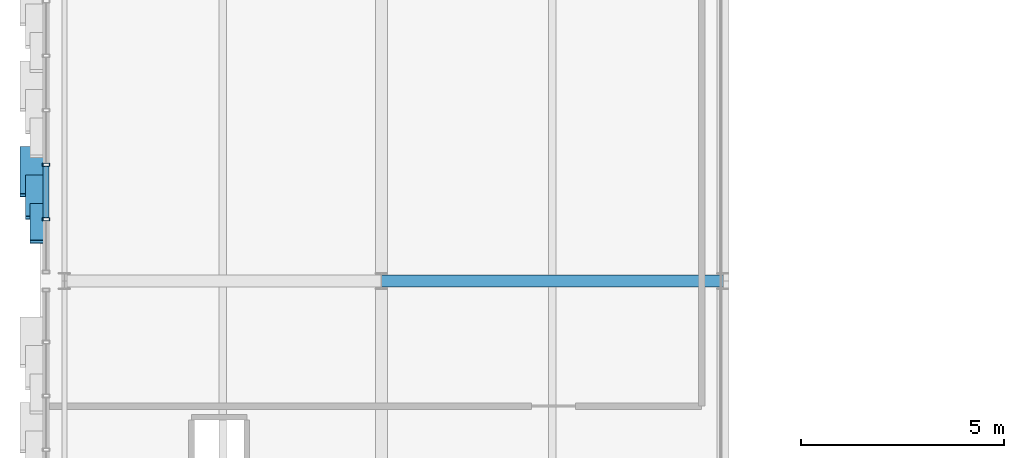
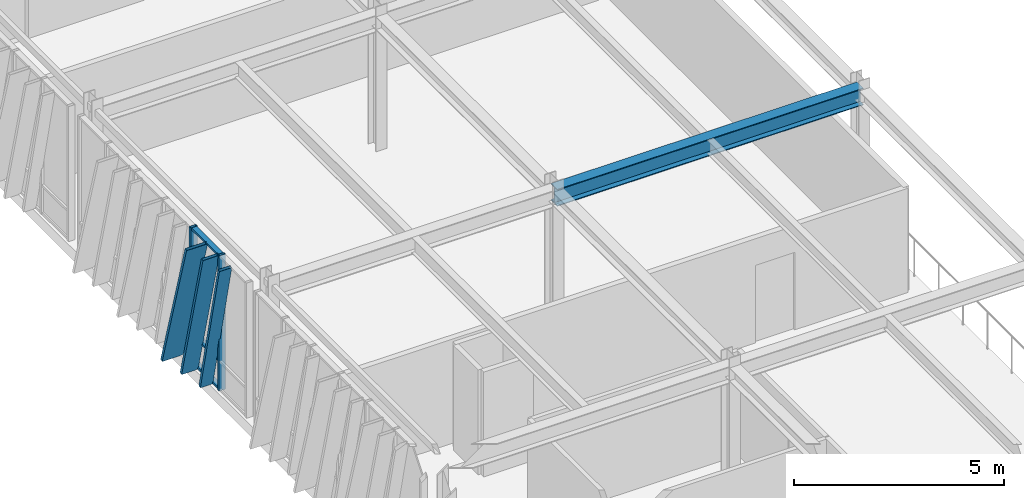
# One storey, part 39 of 127: 8 members, 1 beam, 1 element without a shape of its own.
"""IFC4 building model written with IfcOpenShell, lengths in metres."""

from ifc_helpers import new_model, si_unit, direction, frame, origin, origin_2d, place, context, subcontext, project, spatial, hollow_rectangle, i_section, extrude, material, layer, layer_set, material_profile, profile_set, type_object, element, aggregate, save


model = new_model("IFC4")

# Units and contexts
model_context = context("Model", 3, precision=1e-05, world=origin(), true_north=direction((0.0, 1.0)))
body_context = subcontext(model_context, "Body", "Model", "MODEL_VIEW")
ifc_project = project(units=[si_unit("LENGTHUNIT", "METRE"), si_unit("AREAUNIT", "SQUARE_METRE"), si_unit("VOLUMEUNIT", "CUBIC_METRE"), si_unit("PLANEANGLEUNIT", "RADIAN"), si_unit("MASSUNIT", "GRAM", prefix="KILO")], contexts=[model_context])

# Site, building, storey
site_placement = place(None, origin())
site = spatial("IfcSite", under=ifc_project, at=site_placement, CompositionType="ELEMENT")
building_placement = place(site_placement, origin())
building = spatial("IfcBuilding", under=site, at=building_placement, Name="Zayran Congress Hotel", CompositionType="ELEMENT")
storey_placement = place(building_placement, frame((0.0, 0.0, 10.800048828125)))
storey = spatial("IfcBuildingStorey", under=building, at=storey_placement, Name="L02", CompositionType="ELEMENT", Elevation=10.800048828125)

# Beam
ifc_material_1 = material(Name="Steel S355", Category="steel")
ifc_material_profile_1 = material_profile(ifc_material_1, i_section(OverallWidth=0.300048828125, OverallDepth=0.489990234375, WebThickness=0.011962890625, FlangeThickness=0.02294921875, at=origin_2d()), Name="HEA 500")
ifc_profile_set_1 = profile_set([ifc_material_profile_1], Name="Steel S355")
beam_type = type_object("IfcBeamType", Name="TP-BM-05", PredefinedType="BEAM", material=ifc_profile_set_1)
beam_placement = place(storey_placement, frame((16.800048828125, 92.800048828125, 3.675048828125), z_axis=(1.0, 0.0, 0.0), x_axis=(0.0, 1.0, 0.0)))
element("IfcBeam", 1, at=beam_placement, inside=storey, type_object=beam_type, Name="BM-V1-L02-0683", PredefinedType="BEAM", context=body_context, shape_type="SweptSolid", body=[
    extrude(i_section(OverallWidth=0.300048828125, OverallDepth=0.489990234375, WebThickness=0.011962890625, FlangeThickness=0.02294921875, at=origin_2d()), origin(), (0.0, 0.0, 1.0), 8.39990234375),
])

# Curtain wall, members
ifc_material_2 = material(Name="Anodised aluminium and low-E insulated glass", Category="aluminium")
ifc_layer = layer(ifc_material_2, 0.179931640625)
ifc_layer_set = layer_set([ifc_layer], Name="Anodised aluminium and low-E insulated glass")
curtain_wall_type = type_object("IfcCurtainWallType", Name="CW-V1W-L02-CW-32-8040-3920", PredefinedType="USERDEFINED", material=ifc_layer_set)
curtain_wall_placement = place(storey_placement, origin())
curtain_wall = element("IfcCurtainWall", 2, at=curtain_wall_placement, inside=storey, type_object=curtain_wall_type, Name="CW-V1W-L02-3", ObjectType="CURTAIN WALL", PredefinedType="USERDEFINED")
ifc_material_3 = material(Name="Anodised aluminium framing", Category="aluminium")
ifc_material_profile_2 = material_profile(ifc_material_3, hollow_rectangle(XDim=0.080078125, YDim=0.179931640625, WallThickness=0.0048828125, at=origin_2d()), Name="RHS 180x80x5")
ifc_profile_set_2 = profile_set([ifc_material_profile_2], Name="Anodised aluminium framing")
member_type_1 = type_object("IfcMemberType", Name="TP-CWM-01", PredefinedType="MULLION", material=ifc_profile_set_2)
member_1_placement = place(storey_placement, frame((8.550048828125, 95.659912109375, 0.0), z_axis=(0.0, 0.0, 1.0), x_axis=(0.0, 1.0, 0.0)))
member_1 = element("IfcMember", 3, at=member_1_placement, type_object=member_type_1, Name="CW-V1W-L02-3-M04", PredefinedType="MULLION", context=body_context, shape_type="SweptSolid", body=[
    extrude(hollow_rectangle(XDim=0.080078125, YDim=0.179931640625, WallThickness=0.0048828125, at=origin_2d()), origin(), (0.0, 0.0, 1.0), 3.919921875),
])
member_2_placement = place(storey_placement, frame((8.550048828125, 94.320068359375, 0.0), z_axis=(0.0, 0.0, 1.0), x_axis=(0.0, 1.0, 0.0)))
member_2 = element("IfcMember", 4, at=member_2_placement, type_object=member_type_1, Name="CW-V1W-L02-3-M05", PredefinedType="MULLION", context=body_context, shape_type="SweptSolid", body=[
    extrude(hollow_rectangle(XDim=0.080078125, YDim=0.179931640625, WallThickness=0.0048828125, at=origin_2d()), origin(), (0.0, 0.0, 1.0), 3.919921875),
])
ifc_material_profile_3 = material_profile(ifc_material_3, hollow_rectangle(XDim=0.06005859375, YDim=0.14990234375, WallThickness=0.00390625, at=origin_2d()), Name="RHS 150x60x4")
ifc_profile_set_3 = profile_set([ifc_material_profile_3], Name="Anodised aluminium framing")
member_type_2 = type_object("IfcMemberType", Name="TP-CWT-01", PredefinedType="USERDEFINED", material=ifc_profile_set_3)
member_3_placement = place(storey_placement, frame((8.550048828125, 95.6201171875, 0.030029296875), z_axis=(0.0, -1.0, 0.0), x_axis=(0.0, 0.0, 1.0)))
member_3 = element("IfcMember", 5, at=member_3_placement, type_object=member_type_2, Name="CW-V1W-L02-3-T04-0", ObjectType="TRANSOM", PredefinedType="USERDEFINED", context=body_context, shape_type="SweptSolid", body=[
    extrude(hollow_rectangle(XDim=0.06005859375, YDim=0.14990234375, WallThickness=0.00390625, at=origin_2d()), origin(), (0.0, 0.0, 1.0), 1.260009765625),
])
member_4_placement = place(storey_placement, frame((8.550048828125, 95.6201171875, 0.83984375), z_axis=(0.0, -1.0, 0.0), x_axis=(0.0, 0.0, 1.0)))
member_4 = element("IfcMember", 6, at=member_4_placement, type_object=member_type_2, Name="CW-V1W-L02-3-T04-1", ObjectType="TRANSOM", PredefinedType="USERDEFINED", context=body_context, shape_type="SweptSolid", body=[
    extrude(hollow_rectangle(XDim=0.06005859375, YDim=0.14990234375, WallThickness=0.00390625, at=origin_2d()), origin(), (0.0, 0.0, 1.0), 1.260009765625),
])
member_5_placement = place(storey_placement, frame((8.550048828125, 95.6201171875, 3.889892578125), z_axis=(0.0, -1.0, 0.0), x_axis=(0.0, 0.0, 1.0)))
member_5 = element("IfcMember", 7, at=member_5_placement, type_object=member_type_2, Name="CW-V1W-L02-3-T04-2", ObjectType="TRANSOM", PredefinedType="USERDEFINED", context=body_context, shape_type="SweptSolid", body=[
    extrude(hollow_rectangle(XDim=0.06005859375, YDim=0.14990234375, WallThickness=0.00390625, at=origin_2d()), origin(), (0.0, 0.0, 1.0), 1.260009765625),
])
ifc_material_4 = material(Name="Warm bronze anodised aluminium", Category="aluminium")
ifc_material_profile_4 = material_profile(ifc_material_4, hollow_rectangle(XDim=0.080078125, YDim=0.580078125, WallThickness=0.006103515625, at=origin_2d()), Name="RHS 580x80x6")
ifc_profile_set_4 = profile_set([ifc_material_profile_4], Name="Warm bronze anodised aluminium")
member_type_3 = type_object("IfcMemberType", Name="TP-RFN-01", PredefinedType="MULLION", material=ifc_profile_set_4)
member_6_placement = place(storey_placement, frame((8.199951171875, 96.070068359375, 0.0), z_axis=(0.0, -0.284070030724, 0.958803534435), x_axis=(0.0, 0.958803534435, 0.284070030724)))
member_6 = element("IfcMember", 8, at=member_6_placement, type_object=member_type_3, Name="Slanting Reed Mullion CW-32-07", PredefinedType="MULLION", context=body_context, shape_type="SweptSolid", body=[
    extrude(hollow_rectangle(XDim=0.080078125, YDim=0.580078125, WallThickness=0.006103515625, at=origin_2d()), origin(), (0.0, 0.0, 1.0), 4.08837890625),
])
ifc_material_profile_5 = material_profile(ifc_material_4, hollow_rectangle(XDim=0.080078125, YDim=0.449951171875, WallThickness=0.006103515625, at=origin_2d()), Name="RHS 450x80x6")
ifc_profile_set_5 = profile_set([ifc_material_profile_5], Name="Warm bronze anodised aluminium")
member_type_4 = type_object("IfcMemberType", Name="TP-RFN-02", PredefinedType="MULLION", material=ifc_profile_set_5)
member_7_placement = place(storey_placement, frame((8.264892578125, 95.3701171875, 0.0), z_axis=(0.0, -0.250415952743, 0.968138342703), x_axis=(0.0, 0.968138342703, 0.250415952743)))
member_7 = element("IfcMember", 9, at=member_7_placement, type_object=member_type_4, Name="Slanting Reed Mullion CW-32-08", PredefinedType="MULLION", context=body_context, shape_type="SweptSolid", body=[
    extrude(hollow_rectangle(XDim=0.080078125, YDim=0.449951171875, WallThickness=0.006103515625, at=origin_2d()), origin(), (0.0, 0.0, 1.0), 4.048828125),
])
ifc_material_profile_6 = material_profile(ifc_material_4, hollow_rectangle(XDim=0.080078125, YDim=0.340087890625, WallThickness=0.006103515625, at=origin_2d()), Name="RHS 340x80x6")
ifc_profile_set_6 = profile_set([ifc_material_profile_6], Name="Warm bronze anodised aluminium")
member_type_5 = type_object("IfcMemberType", Name="TP-RFN-03", PredefinedType="MULLION", material=ifc_profile_set_6)
member_8_placement = place(storey_placement, frame((8.320068359375, 94.669921875, 0.0), z_axis=(0.0, -0.224961443605, 0.974367666177), x_axis=(0.0, 0.974367666177, 0.224961443605)))
member_8 = element("IfcMember", 10, at=member_8_placement, type_object=member_type_5, Name="Slanting Reed Mullion CW-32-09", PredefinedType="MULLION", context=body_context, shape_type="SweptSolid", body=[
    extrude(hollow_rectangle(XDim=0.080078125, YDim=0.340087890625, WallThickness=0.006103515625, at=origin_2d()), origin(), (0.0, 0.0, 1.0), 4.02294921875),
])
aggregate(curtain_wall, [member_1, member_2, member_3, member_4, member_5, member_6, member_7, member_8])

save(model, "model.ifc")
